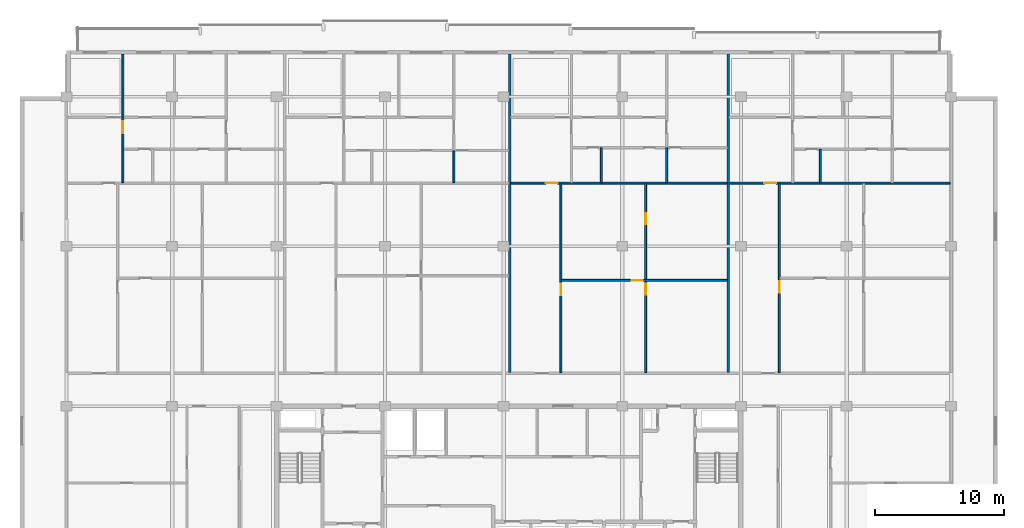
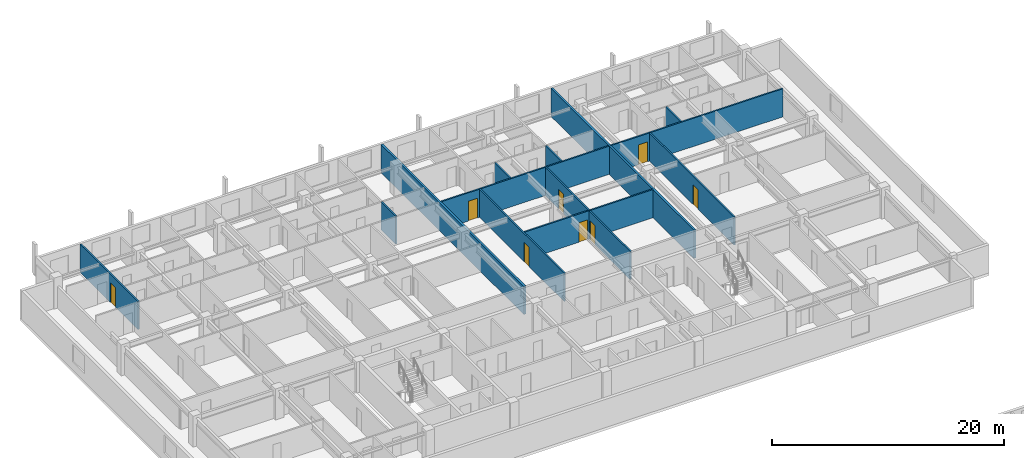
# One storey, part 14 of 24: 13 walls, 8 doors, 8 openings.
"""IFC4 building model written with IfcOpenShell, lengths in metres."""

from ifc_helpers import new_model, si_unit, direction, frame, frame_2d, origin, place, context, subcontext, project, spatial, rectangle, extrude, material, layer, layer_set, type_object, element, fill, save


model = new_model("IFC4")

# Units and contexts
model_context = context("Model", 3, precision=1e-05, world=origin(), true_north=direction((0.0, 1.0)))
body_context = subcontext(model_context, "Body", "Model", "MODEL_VIEW")
ifc_project = project(units=[si_unit("LENGTHUNIT", "METRE"), si_unit("AREAUNIT", "SQUARE_METRE"), si_unit("VOLUMEUNIT", "CUBIC_METRE"), si_unit("PLANEANGLEUNIT", "RADIAN"), si_unit("MASSUNIT", "GRAM", prefix="KILO")], contexts=[model_context])

# Site, building, storey
site_placement = place(None, origin())
site = spatial("IfcSite", under=ifc_project, at=site_placement, CompositionType="ELEMENT")
building_placement = place(site_placement, origin())
building = spatial("IfcBuilding", under=site, at=building_placement, Name="Korimba Cascade Residences", CompositionType="ELEMENT")
storey_placement = place(building_placement, frame((0.0, 0.0, 168.60009765625)))
storey = spatial("IfcBuildingStorey", under=building, at=storey_placement, Name="L48", CompositionType="ELEMENT", Elevation=168.60009765625)

# Walls
ifc_material_1 = material(Name="Precast concrete C40/50", Category="concrete")
ifc_layer_1 = layer(ifc_material_1, 0.199951171875)
ifc_layer_set_1 = layer_set([ifc_layer_1], Name="Precast concrete C40/50")
wall_type_1 = type_object("IfcWallType", Name="WAL-IT-200", PredefinedType="PARTITIONING", material=ifc_layer_set_1)
for number, where, z_axis, x_axis, name in (
    (1, (94.175048828125, 69.830078125, 0.0), (0.0, 0.0, 1.0), (0.0, 1.0, 0.0), "L48 Partition Wall WAL-L48-T1-DEM-2"),
    (2, (111.110107421875, 69.830078125, 0.0), (0.0, 0.0, 1.0), (0.0, 1.0, 0.0), "L48 Partition Wall WAL-L48-T1-DEM-3"),
):
    element("IfcWall", number, at=place(storey_placement, frame(where, z_axis=z_axis, x_axis=x_axis)), inside=storey, type_object=wall_type_1, Name=name, PredefinedType="PARTITIONING", context=body_context, shape_type="SweptSolid", body=[
        extrude(rectangle(XDim=24.669921875, YDim=0.199951171875, at=frame_2d((12.3349609375, 0.0))), origin(), (0.0, 0.0, 1.0), 2.969970703125),
    ])

# Wall, opening, door
ifc_material_2 = material(Name="Insulated Acoustic Stud Partition", Category="gypsum")
ifc_layer_2 = layer(ifc_material_2, 0.14990234375)
ifc_layer_set_2 = layer_set([ifc_layer_2], Name="Insulated Acoustic Stud Partition")
wall_type_2 = type_object("IfcWallType", Name="WAL-PART-150", PredefinedType="PARTITIONING", material=ifc_layer_set_2)
wall_1_placement = place(storey_placement, frame((64.169921875, 84.5400390625, 0.0), z_axis=(0.0, 0.0, 1.0), x_axis=(0.0, 1.0, 0.0)))
wall_1 = element("IfcWall", 3, at=wall_1_placement, inside=storey, type_object=wall_type_2, Name="L48 Partition Wall WAL-L48-T1-U01-V1", PredefinedType="PARTITIONING", context=body_context, shape_type="SweptSolid", body=[
    extrude(rectangle(XDim=9.9599609375, YDim=0.14990234375, at=frame_2d((4.97998046875, 0.0))), origin(), (0.0, 0.0, 1.0), 2.969970703125),
])
opening_1_placement = place(wall_1_placement, frame((3.820068359375, 0.0, 0.0)))
opening_1 = element("IfcOpeningElement", 4, at=opening_1_placement, cuts=wall_1, Name="Opening D-IN1", PredefinedType="OPENING", context=body_context, shape_type="SweptSolid", body=[
    extrude(rectangle(XDim=0.919921875, YDim=2.080078125, at=frame_2d((0.4599609375, 1.0400390625))), frame((0.0, 0.0849609375, 0.0), z_axis=(0.0, -1.0, 0.0), x_axis=(1.0, 0.0, 0.0)), (0.0, 0.0, 1.0), 0.169921875),
])
ifc_material_3 = material(Name="Acoustic Timber Living Door", Category="wood")
door_type_1 = type_object("IfcDoorType", Name="DR-INT-920", OperationType="NOTDEFINED", PredefinedType="DOOR", material=ifc_material_3)
door_1_placement = place(opening_1_placement, origin())
door_1 = element("IfcDoor", 5, at=door_1_placement, inside=storey, type_object=door_type_1, Name="L48-T1-U01 Hallway Door", OperationType="SINGLE_SWING_RIGHT", OverallHeight=2.080078125, OverallWidth=0.919921875, PredefinedType="DOOR", context=body_context, shape_type="SweptSolid", body=[
    extrude(rectangle(XDim=0.919921875, YDim=2.080078125, at=frame_2d((0.4599609375, 1.0400390625))), frame((0.0, 0.02490234375, 0.0), z_axis=(0.0, -1.0, 0.0), x_axis=(1.0, 0.0, 0.0)), (0.0, 0.0, 1.0), 0.050048828125),
])
fill(opening_1, door_1)

# Wall
wall_2_placement = place(storey_placement, frame((89.844970703125, 84.5400390625, 0.0), z_axis=(0.0, 0.0, 1.0), x_axis=(0.0, 1.0, 0.0)))
element("IfcWall", 6, at=wall_2_placement, inside=storey, type_object=wall_type_2, Name="L48 Partition Wall WAL-L48-T1-U02-VBATH", PredefinedType="PARTITIONING", context=body_context, shape_type="SweptSolid", body=[
    extrude(rectangle(XDim=2.469970703125, YDim=0.14990234375, at=frame_2d((1.23486328125, 0.0))), origin(), (0.0, 0.0, 1.0), 2.969970703125),
])

# Wall, openings, doors
wall_3_placement = place(storey_placement, frame((104.717529296875, 69.81005859375, 0.0), z_axis=(0.0, 0.0, 1.0), x_axis=(0.0, 1.0, 0.0)))
wall_3 = element("IfcWall", 7, at=wall_3_placement, inside=storey, type_object=wall_type_2, Name="L48 Partition Wall WAL-L48-T1-U03-FMV", PredefinedType="PARTITIONING", context=body_context, shape_type="SweptSolid", body=[
    extrude(rectangle(XDim=14.64990234375, YDim=0.14990234375, at=frame_2d((7.324951171875, 0.0))), origin(), (0.0, 0.0, 1.0), 2.969970703125),
])
opening_2_placement = place(wall_3_placement, frame((6.054931640625, 0.0, 0.0)))
opening_2 = element("IfcOpeningElement", 8, at=opening_2_placement, cuts=wall_3, Name="Opening D-BT1", PredefinedType="OPENING", context=body_context, shape_type="SweptSolid", body=[
    extrude(rectangle(XDim=0.840087890625, YDim=2.0400390625, at=frame_2d((0.419921875, 1.02001953125))), frame((0.0, 0.0849609375, 0.0), z_axis=(0.0, -1.0, 0.0), x_axis=(1.0, 0.0, 0.0)), (0.0, 0.0, 1.0), 0.169921875),
])
opening_3_placement = place(wall_3_placement, frame((11.491943359375, 0.0, 0.0)))
opening_3 = element("IfcOpeningElement", 9, at=opening_3_placement, cuts=wall_3, Name="Opening D-IN2", PredefinedType="OPENING", context=body_context, shape_type="SweptSolid", body=[
    extrude(rectangle(XDim=0.8798828125, YDim=2.06005859375, at=frame_2d((0.43994140625, 1.030029296875))), frame((0.0, 0.0849609375, 0.0), z_axis=(0.0, -1.0, 0.0), x_axis=(1.0, 0.0, 0.0)), (0.0, 0.0, 1.0), 0.169921875),
])
ifc_material_4 = material(Name="Moisture-Resistant Bathroom Timber Door", Category="wood")
door_type_2 = type_object("IfcDoorType", Name="DR-INT-850", OperationType="NOTDEFINED", PredefinedType="DOOR", material=ifc_material_4)
door_2_placement = place(opening_2_placement, origin())
door_2 = element("IfcDoor", 10, at=door_2_placement, inside=storey, type_object=door_type_2, Name="L48-T1-U03 Wardrobe Door", OperationType="SINGLE_SWING_RIGHT", OverallHeight=2.0400390625, OverallWidth=0.840087890625, PredefinedType="DOOR", context=body_context, shape_type="SweptSolid", body=[
    extrude(rectangle(XDim=0.840087890625, YDim=2.0400390625, at=frame_2d((0.419921875, 1.02001953125))), frame((0.0, 0.02490234375, 0.0), z_axis=(0.0, -1.0, 0.0), x_axis=(1.0, 0.0, 0.0)), (0.0, 0.0, 1.0), 0.050048828125),
])
fill(opening_2, door_2)
ifc_material_5 = material(Name="Acoustic Timber Bedroom Door", Category="wood")
door_type_3 = type_object("IfcDoorType", Name="DR-INT-880", OperationType="NOTDEFINED", PredefinedType="DOOR", material=ifc_material_5)
door_3_placement = place(opening_3_placement, origin())
door_3 = element("IfcDoor", 11, at=door_3_placement, inside=storey, type_object=door_type_3, Name="L48-T1-U03 Music Lounge Door", OperationType="SINGLE_SWING_LEFT", OverallHeight=2.06005859375, OverallWidth=0.8798828125, PredefinedType="DOOR", context=body_context, shape_type="SweptSolid", body=[
    extrude(rectangle(XDim=0.8798828125, YDim=2.06005859375, at=frame_2d((0.43994140625, 1.030029296875))), frame((0.0, 0.02490234375, 0.0), z_axis=(0.0, -1.0, 0.0), x_axis=(1.0, 0.0, 0.0)), (0.0, 0.0, 1.0), 0.050048828125),
])
fill(opening_3, door_3)

# Wall, opening, door
wall_4_placement = place(storey_placement, frame((98.205078125, 76.955078125, 0.0), z_axis=(0.0, 0.0, 1.0), x_axis=(1.0, 0.0, 0.0)))
wall_4 = element("IfcWall", 12, at=wall_4_placement, inside=storey, type_object=wall_type_2, Name="L48 Partition Wall WAL-L48-T1-U03-FMH", PredefinedType="PARTITIONING", context=body_context, shape_type="SweptSolid", body=[
    extrude(rectangle(XDim=12.824951171875, YDim=0.14990234375, at=frame_2d((6.41259765625, 0.0))), origin(), (0.0, 0.0, 1.0), 2.969970703125),
])
opening_4_placement = place(wall_4_placement, frame((5.41259765625, 0.0, 0.0)))
opening_4 = element("IfcOpeningElement", 13, at=opening_4_placement, cuts=wall_4, Name="Opening D-IN2", PredefinedType="OPENING", context=body_context, shape_type="SweptSolid", body=[
    extrude(rectangle(XDim=0.8798828125, YDim=2.06005859375, at=frame_2d((0.43994140625, 1.030029296875))), frame((0.0, 0.0849609375, 0.0), z_axis=(0.0, -1.0, 0.0), x_axis=(1.0, 0.0, 0.0)), (0.0, 0.0, 1.0), 0.169921875),
])
door_4_placement = place(opening_4_placement, origin())
door_4 = element("IfcDoor", 14, at=door_4_placement, inside=storey, type_object=door_type_3, Name="L48-T1-U03 Library Salon Door", OperationType="SINGLE_SWING_RIGHT", OverallHeight=2.06005859375, OverallWidth=0.8798828125, PredefinedType="DOOR", context=body_context, shape_type="SweptSolid", body=[
    extrude(rectangle(XDim=0.8798828125, YDim=2.06005859375, at=frame_2d((0.43994140625, 1.030029296875))), frame((0.0, 0.02490234375, 0.0), z_axis=(0.0, -1.0, 0.0), x_axis=(1.0, 0.0, 0.0)), (0.0, 0.0, 1.0), 0.050048828125),
])
fill(opening_4, door_4)

wall_5_placement = place(storey_placement, frame((98.14501953125, 69.81005859375, 0.0), z_axis=(0.0, 0.0, 1.0), x_axis=(0.0, 1.0, 0.0)))
wall_5 = element("IfcWall", 15, at=wall_5_placement, inside=storey, type_object=wall_type_2, Name="L48 Partition Wall WAL-L48-T1-U03-FV", PredefinedType="PARTITIONING", context=body_context, shape_type="SweptSolid", body=[
    extrude(rectangle(XDim=14.64990234375, YDim=0.14990234375, at=frame_2d((7.324951171875, 0.0))), origin(), (0.0, 0.0, 1.0), 2.969970703125),
])
opening_5_placement = place(wall_5_placement, frame((6.014892578125, 0.0, 0.0)))
opening_5 = element("IfcOpeningElement", 16, at=opening_5_placement, cuts=wall_5, Name="Opening D-IN2", PredefinedType="OPENING", context=body_context, shape_type="SweptSolid", body=[
    extrude(rectangle(XDim=0.8798828125, YDim=2.06005859375, at=frame_2d((0.43994140625, 1.030029296875))), frame((0.0, 0.0849609375, 0.0), z_axis=(0.0, -1.0, 0.0), x_axis=(1.0, 0.0, 0.0)), (0.0, 0.0, 1.0), 0.169921875),
])
door_5_placement = place(opening_5_placement, origin())
door_5 = element("IfcDoor", 17, at=door_5_placement, inside=storey, type_object=door_type_3, Name="L48-T1-U03 Media Lounge Door", OperationType="SINGLE_SWING_LEFT", OverallHeight=2.06005859375, OverallWidth=0.8798828125, PredefinedType="DOOR", context=body_context, shape_type="SweptSolid", body=[
    extrude(rectangle(XDim=0.8798828125, YDim=2.06005859375, at=frame_2d((0.43994140625, 1.030029296875))), frame((0.0, 0.02490234375, 0.0), z_axis=(0.0, -1.0, 0.0), x_axis=(1.0, 0.0, 0.0)), (0.0, 0.0, 1.0), 0.050048828125),
])
fill(opening_5, door_5)

# Walls
for number, where, z_axis, x_axis, name in (
    (18, (101.27490234375, 84.5400390625, 0.0), (0.0, 0.0, 1.0), (0.0, 1.0, 0.0), "L48 Partition Wall WAL-L48-T1-U03-VDRS"),
    (19, (106.340087890625, 84.5400390625, 0.0), (0.0, 0.0, 1.0), (0.0, 1.0, 0.0), "L48 Partition Wall WAL-L48-T1-U03-VBATH"),
):
    element("IfcWall", number, at=place(storey_placement, frame(where, z_axis=z_axis, x_axis=x_axis)), inside=storey, type_object=wall_type_2, Name=name, PredefinedType="PARTITIONING", context=body_context, shape_type="SweptSolid", body=[
        extrude(rectangle(XDim=2.68994140625, YDim=0.14990234375, at=frame_2d((1.344970703125, 0.0))), origin(), (0.0, 0.0, 1.0), 2.969970703125),
    ])

# Wall, opening, door
wall_6_placement = place(storey_placement, frame((94.2548828125, 84.5, 0.0), z_axis=(0.0, 0.0, 1.0), x_axis=(1.0, 0.0, 0.0)))
wall_6 = element("IfcWall", 20, at=wall_6_placement, inside=storey, type_object=wall_type_2, Name="L48 Partition Wall WAL-L48-T1-U03-MW", PredefinedType="PARTITIONING", context=body_context, shape_type="SweptSolid", body=[
    extrude(rectangle(XDim=16.775146484375, YDim=0.14990234375, at=frame_2d((8.3876953125, 0.0))), origin(), (0.0, 0.0, 1.0), 2.969970703125),
])
opening_6_placement = place(wall_6_placement, frame((2.719970703125, 0.0, 0.0)))
opening_6 = element("IfcOpeningElement", 21, at=opening_6_placement, cuts=wall_6, Name="Opening D-IN1", PredefinedType="OPENING", context=body_context, shape_type="SweptSolid", body=[
    extrude(rectangle(XDim=0.919921875, YDim=2.080078125, at=frame_2d((0.4599609375, 1.0400390625))), frame((0.0, 0.0849609375, 0.0), z_axis=(0.0, -1.0, 0.0), x_axis=(1.0, 0.0, 0.0)), (0.0, 0.0, 1.0), 0.169921875),
])
door_6_placement = place(opening_6_placement, origin())
door_6 = element("IfcDoor", 22, at=door_6_placement, inside=storey, type_object=door_type_1, Name="L48-T1-U03 Kitchen Door", OperationType="SINGLE_SWING_LEFT", OverallHeight=2.080078125, OverallWidth=0.919921875, PredefinedType="DOOR", context=body_context, shape_type="SweptSolid", body=[
    extrude(rectangle(XDim=0.919921875, YDim=2.080078125, at=frame_2d((0.4599609375, 1.0400390625))), frame((0.0, 0.02490234375, 0.0), z_axis=(0.0, -1.0, 0.0), x_axis=(1.0, 0.0, 0.0)), (0.0, 0.0, 1.0), 0.050048828125),
])
fill(opening_6, door_6)

wall_7_placement = place(storey_placement, frame((115.080078125, 69.81005859375, 0.0), z_axis=(0.0, 0.0, 1.0), x_axis=(0.0, 1.0, 0.0)))
wall_7 = element("IfcWall", 23, at=wall_7_placement, inside=storey, type_object=wall_type_2, Name="L48 Partition Wall WAL-L48-T1-U04-FV", PredefinedType="PARTITIONING", context=body_context, shape_type="SweptSolid", body=[
    extrude(rectangle(XDim=14.64990234375, YDim=0.14990234375, at=frame_2d((7.324951171875, 0.0))), origin(), (0.0, 0.0, 1.0), 2.969970703125),
])
opening_7_placement = place(wall_7_placement, frame((6.195068359375, 0.0, 0.0)))
opening_7 = element("IfcOpeningElement", 24, at=opening_7_placement, cuts=wall_7, Name="Opening D-IN2", PredefinedType="OPENING", context=body_context, shape_type="SweptSolid", body=[
    extrude(rectangle(XDim=0.8798828125, YDim=2.06005859375, at=frame_2d((0.43994140625, 1.030029296875))), frame((0.0, 0.0849609375, 0.0), z_axis=(0.0, -1.0, 0.0), x_axis=(1.0, 0.0, 0.0)), (0.0, 0.0, 1.0), 0.169921875),
])
door_7_placement = place(opening_7_placement, origin())
door_7 = element("IfcDoor", 25, at=door_7_placement, inside=storey, type_object=door_type_3, Name="L48-T1-U04 Media Lounge Door", OperationType="SINGLE_SWING_RIGHT", OverallHeight=2.06005859375, OverallWidth=0.8798828125, PredefinedType="DOOR", context=body_context, shape_type="SweptSolid", body=[
    extrude(rectangle(XDim=0.8798828125, YDim=2.06005859375, at=frame_2d((0.43994140625, 1.030029296875))), frame((0.0, 0.02490234375, 0.0), z_axis=(0.0, -1.0, 0.0), x_axis=(1.0, 0.0, 0.0)), (0.0, 0.0, 1.0), 0.050048828125),
])
fill(opening_7, door_7)

# Wall
wall_8_placement = place(storey_placement, frame((118.260009765625, 84.5400390625, 0.0), z_axis=(0.0, 0.0, 1.0), x_axis=(0.0, 1.0, 0.0)))
element("IfcWall", 26, at=wall_8_placement, inside=storey, type_object=wall_type_2, Name="L48 Partition Wall WAL-L48-T1-U04-VDRS", PredefinedType="PARTITIONING", context=body_context, shape_type="SweptSolid", body=[
    extrude(rectangle(XDim=2.580078125, YDim=0.14990234375, at=frame_2d((1.2900390625, 0.0))), origin(), (0.0, 0.0, 1.0), 2.969970703125),
])

# Wall, opening, door
wall_9_placement = place(storey_placement, frame((111.190185546875, 84.5, 0.0), z_axis=(0.0, 0.0, 1.0), x_axis=(1.0, 0.0, 0.0)))
wall_9 = element("IfcWall", 27, at=wall_9_placement, inside=storey, type_object=wall_type_2, Name="L48 Partition Wall WAL-L48-T1-U04-MW", PredefinedType="PARTITIONING", context=body_context, shape_type="SweptSolid", body=[
    extrude(rectangle(XDim=17.1298828125, YDim=0.14990234375, at=frame_2d((8.56494140625, 0.0))), origin(), (0.0, 0.0, 1.0), 2.969970703125),
])
opening_8_placement = place(wall_9_placement, frame((2.719970703125, 0.0, 0.0)))
opening_8 = element("IfcOpeningElement", 28, at=opening_8_placement, cuts=wall_9, Name="Opening D-IN1", PredefinedType="OPENING", context=body_context, shape_type="SweptSolid", body=[
    extrude(rectangle(XDim=0.919921875, YDim=2.080078125, at=frame_2d((0.4599609375, 1.0400390625))), frame((0.0, 0.0849609375, 0.0), z_axis=(0.0, -1.0, 0.0), x_axis=(1.0, 0.0, 0.0)), (0.0, 0.0, 1.0), 0.169921875),
])
door_8_placement = place(opening_8_placement, origin())
door_8 = element("IfcDoor", 29, at=door_8_placement, inside=storey, type_object=door_type_1, Name="L48-T1-U04 Kitchen Door", OperationType="SINGLE_SWING_RIGHT", OverallHeight=2.080078125, OverallWidth=0.919921875, PredefinedType="DOOR", context=body_context, shape_type="SweptSolid", body=[
    extrude(rectangle(XDim=0.919921875, YDim=2.080078125, at=frame_2d((0.4599609375, 1.0400390625))), frame((0.0, 0.02490234375, 0.0), z_axis=(0.0, -1.0, 0.0), x_axis=(1.0, 0.0, 0.0)), (0.0, 0.0, 1.0), 0.050048828125),
])
fill(opening_8, door_8)

save(model, "model.ifc")
